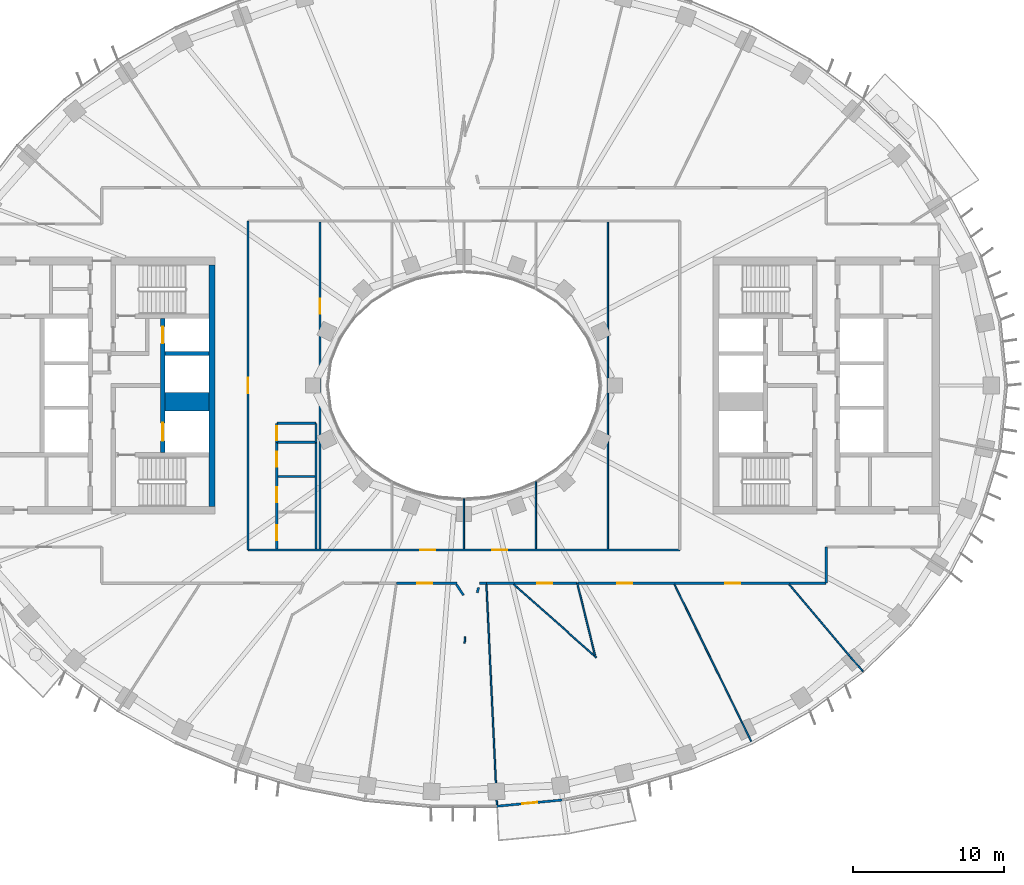
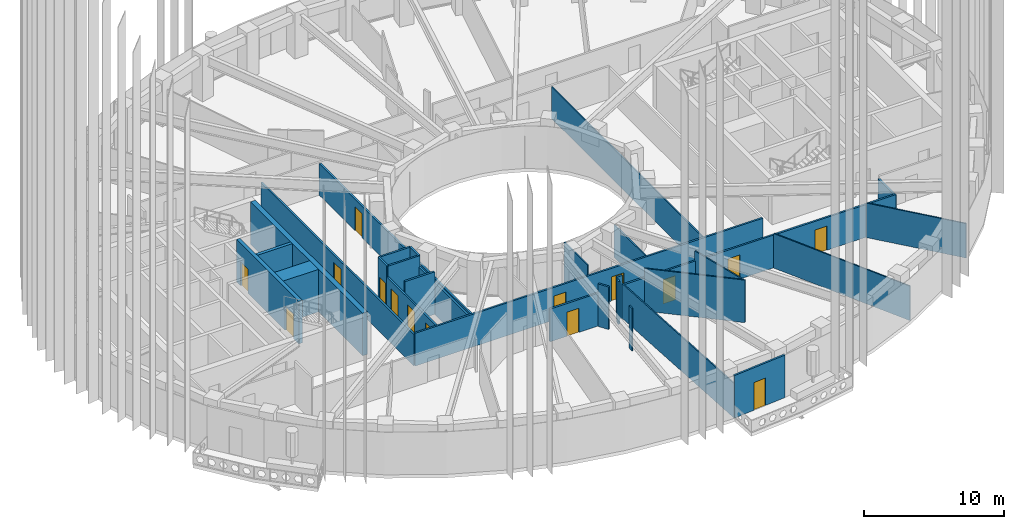
# One storey, part 4 of 19: 31 walls, 15 doors, 15 openings.
"""IFC4 building model written with IfcOpenShell, lengths in metres."""

import ifcopenshell
import ifcopenshell.guid

model = None  # the IFC model being written
_history = None  # IfcOwnerHistory: only IFC2X3 demands one
_inside = {}  # id of a spatial element -> (the spatial element, [elements in it])
_under = {}  # id of a project, library or spatial element -> (it, [spatial elements below it])
_declared = {}  # id of a project -> (the project, [libraries it declares])
_typed = {}  # id of a type object -> (the type object, [elements of that type])
_made_of = {}  # id of a material, layer set ... -> (it, [elements and type objects made of it])


def new_model(schema):
    """Start an empty IFC model of exactly this schema.

    Asked for "IFC4X3", IfcOpenShell would pick the latest addendum, in which some entities
    have other attributes; the version numbers below select the first issue.
    IFC2X3 requires an IfcOwnerHistory on every rooted entity: one is made here for all.
    """
    global model, _history
    if schema == "IFC4X3":
        model = ifcopenshell.file(schema_version=(4, 3, 0, 0))
    else:
        model = ifcopenshell.file(schema=schema)
    _inside.clear()
    _under.clear()
    _declared.clear()
    _typed.clear()
    _made_of.clear()
    _history = None
    if model.schema == "IFC2X3":
        org = make("IfcOrganization", Name="unknown")
        user = make(
            "IfcPersonAndOrganization",
            ThePerson=make("IfcPerson", FamilyName="unknown"),
            TheOrganization=org,
        )
        app = make(
            "IfcApplication",
            ApplicationDeveloper=org,
            Version="unknown",
            ApplicationFullName="unknown",
            ApplicationIdentifier="unknown",
        )
        _history = make(
            "IfcOwnerHistory",
            OwningUser=user,
            OwningApplication=app,
            ChangeAction="ADDED",
            CreationDate=0,
        )
    return model


def make(cls, **values):
    """One entity of the class cls with the attributes given. An attribute that is None is left unset."""
    return model.create_entity(
        cls, **{name: value for name, value in values.items() if value is not None}
    )


def rooted(cls, **values):
    """An entity with a GlobalId (a new one), such as an element, a storey or a relation."""
    return make(cls, GlobalId=ifcopenshell.guid.new(), OwnerHistory=_history, **values)


def si_unit(unit_type, name, prefix=None):
    """IfcSIUnit, for example si_unit("LENGTHUNIT", "METRE", prefix="MILLI")."""
    return make("IfcSIUnit", UnitType=unit_type, Prefix=prefix, Name=name)


def assignment(units):
    """IfcUnitAssignment: the units of a project."""
    return None if units is None else make("IfcUnitAssignment", Units=units)


def point(xyz):
    """IfcCartesianPoint."""
    return None if xyz is None else make("IfcCartesianPoint", Coordinates=xyz)


def direction(xyz):
    """IfcDirection."""
    return None if xyz is None else make("IfcDirection", DirectionRatios=xyz)


def frame(location, z_axis=None, x_axis=None):
    """IfcAxis2Placement3D, a coordinate frame: its origin and axes. An axis left out is left unset."""
    return make(
        "IfcAxis2Placement3D",
        Location=point(location),
        Axis=direction(z_axis),
        RefDirection=direction(x_axis),
    )


def frame_2d(location, x_axis=None):
    """IfcAxis2Placement2D, a coordinate frame in the plane: its origin and x axis."""
    return make(
        "IfcAxis2Placement2D", Location=point(location), RefDirection=direction(x_axis)
    )


def origin():
    """The frame at (0, 0, 0) with its axes left unset."""
    return frame((0.0, 0.0, 0.0))


def place(relative_to, where):
    """IfcLocalPlacement: puts the frame where relative to a parent placement (None: the world)."""
    return make(
        "IfcLocalPlacement", PlacementRelTo=relative_to, RelativePlacement=where
    )


def context(
    kind, dimensions, precision=None, world=None, true_north=None, identifier=None
):
    """IfcGeometricRepresentationContext, for example the 3D "Model" context."""
    return make(
        "IfcGeometricRepresentationContext",
        ContextIdentifier=identifier,
        ContextType=kind,
        CoordinateSpaceDimension=dimensions,
        Precision=precision,
        WorldCoordinateSystem=world,
        TrueNorth=true_north,
    )


def subcontext(parent, identifier, kind, view, scale=None):
    """IfcGeometricRepresentationSubContext, for example "Body" below "Model"."""
    return make(
        "IfcGeometricRepresentationSubContext",
        ContextIdentifier=identifier,
        ContextType=kind,
        ParentContext=parent,
        TargetScale=scale,
        TargetView=view,
    )


def project(units=None, contexts=None):
    """IfcProject with its units and contexts."""
    return rooted(
        "IfcProject",
        Name="project",
        RepresentationContexts=contexts,
        UnitsInContext=assignment(units),
    )


def spatial(cls, under=None, at=None, **own):
    """A site, building, storey or space (cls), placed at a placement, below another one or the project."""
    s = rooted(cls, ObjectPlacement=at, **own)
    if under is not None:
        _under.setdefault(under.id(), (under, []))[1].append(s)
    return s


def profile(cls, at=None, kind="AREA", **sizes):
    """A parametric profile (cls). Its sizes go by their IFC names, for example OverallWidth=200.0."""
    return make(cls, ProfileType=kind, Position=at, **sizes)


def rectangle(**sizes):
    """IfcRectangleProfileDef."""
    return profile("IfcRectangleProfileDef", **sizes)


def extrude(swept, where, along, depth):
    """IfcExtrudedAreaSolid: the profile swept, set in the frame where, extruded along a direction by depth."""
    return make(
        "IfcExtrudedAreaSolid",
        SweptArea=swept,
        Position=where,
        ExtrudedDirection=direction(along),
        Depth=depth,
    )


def shape(context_of_items, identifier, shape_type, items):
    """IfcShapeRepresentation: the items that make up one representation, for example the "Body"."""
    return make(
        "IfcShapeRepresentation",
        ContextOfItems=context_of_items,
        RepresentationIdentifier=identifier,
        RepresentationType=shape_type,
        Items=items,
    )


def material(Name=None, Category=None):
    """IfcMaterial."""
    return make("IfcMaterial", Name=Name, Category=Category)


def layer(
    of_material, thickness, ventilated=None, Name=None, Category=None, Priority=None
):
    """IfcMaterialLayer: one layer of a wall or slab, of a material (None: an air gap)."""
    return make(
        "IfcMaterialLayer",
        Material=of_material,
        LayerThickness=thickness,
        IsVentilated=ventilated,
        Name=Name,
        Category=Category,
        Priority=Priority,
    )


def layer_set(layers, Name=None):
    """IfcMaterialLayerSet."""
    return make("IfcMaterialLayerSet", MaterialLayers=layers, LayerSetName=Name)


def made_of(thing, what):
    """Note that an element or type object is made of a material, layer set ...; save() writes the relation."""
    if what is not None:
        _made_of.setdefault(what.id(), (what, []))[1].append(thing)
    return thing


def type_object(cls, material=None, **own):
    """A type object (cls), such as IfcWallType, which elements share."""
    return made_of(rooted(cls, **own), material)


def element(
    cls,
    number,
    at=None,
    inside=None,
    cuts=None,
    type_object=None,
    material=None,
    context=None,
    identifier="Body",
    shape_type=None,
    held_by="IfcProductDefinitionShape",
    body=None,
    shapes=None,
    **own,
):
    """One element of the class cls, such as IfcWall. Its Tag is "e" and its number.

    at: its placement. inside: the storey or other place that contains it. cuts: it is an
    opening in that element (IfcRelVoidsElement). A single representation is given by context,
    identifier, shape_type and body (its items); several are given by shapes. held_by: the class
    of the entity that holds the representations. save() writes the other relations.
    """
    e = rooted(cls, Tag="e%d" % number, ObjectPlacement=at, **own)
    if body is not None:
        shapes = [shape(context, identifier, shape_type, body)]
    if shapes is not None:
        e.Representation = make(held_by, Representations=shapes)
    if inside is not None:
        _inside.setdefault(inside.id(), (inside, []))[1].append(e)
    if cuts is not None:
        rooted(
            "IfcRelVoidsElement", RelatingBuildingElement=cuts, RelatedOpeningElement=e
        )
    if type_object is not None:
        _typed.setdefault(type_object.id(), (type_object, []))[1].append(e)
    return made_of(e, material)


def fill(opening, filler):
    """IfcRelFillsElement: the door or window that sits in an opening."""
    return rooted(
        "IfcRelFillsElement",
        RelatingOpeningElement=opening,
        RelatedBuildingElement=filler,
    )


def aggregate(whole, parts):
    """IfcRelAggregates: a whole, such as a stair, and the parts it consists of."""
    return rooted("IfcRelAggregates", RelatingObject=whole, RelatedObjects=parts)


def save(model, path):
    """Write the relations noted so far, then the file.

    IfcRelAggregates (storeys below a building ...), IfcRelContainedInSpatialStructure (elements
    in a storey), IfcRelDefinesByType, IfcRelAssociatesMaterial and IfcRelDeclares: one each for
    every whole, place, type object, material and project.
    """
    for whole, parts in _under.values():
        aggregate(whole, parts)
    for where, things in _inside.values():
        rooted(
            "IfcRelContainedInSpatialStructure",
            RelatedElements=things,
            RelatingStructure=where,
        )
    for kind, things in _typed.values():
        rooted("IfcRelDefinesByType", RelatedObjects=things, RelatingType=kind)
    for what, things in _made_of.values():
        rooted("IfcRelAssociatesMaterial", RelatedObjects=things, RelatingMaterial=what)
    for by, libraries in _declared.values():
        rooted("IfcRelDeclares", RelatingContext=by, RelatedDefinitions=libraries)
    model.write(path)


model = new_model("IFC4")

# Units and contexts
model_context = context("Model", 3, precision=1e-05, world=origin(), true_north=direction((0.0, 1.0)))
body_context = subcontext(model_context, "Body", "Model", "MODEL_VIEW")
ifc_project = project(units=[si_unit("LENGTHUNIT", "METRE"), si_unit("AREAUNIT", "SQUARE_METRE"), si_unit("VOLUMEUNIT", "CUBIC_METRE"), si_unit("PLANEANGLEUNIT", "RADIAN"), si_unit("MASSUNIT", "GRAM", prefix="KILO")], contexts=[model_context])

# Site, building, storey
site_placement = place(None, origin())
site = spatial("IfcSite", under=ifc_project, at=site_placement, CompositionType="ELEMENT")
building_placement = place(site_placement, origin())
building = spatial("IfcBuilding", under=site, at=building_placement, Name="Noorbagh Ring Tower", CompositionType="ELEMENT")
storey_placement = place(building_placement, frame((0.0, 0.0, 233.5)))
storey = spatial("IfcBuildingStorey", under=building, at=storey_placement, Name="L48", CompositionType="ELEMENT", Elevation=233.5)

# Wall, opening, door
ifc_material_1 = material(Name="Gypsum board on steel studs", Category="steel")
ifc_layer_1 = layer(ifc_material_1, 0.14990234375)
ifc_layer_set_1 = layer_set([ifc_layer_1], Name="Gypsum board on steel studs")
wall_type_1 = type_object("IfcWallType", Name="COMPARTMENT PARTITION 150 EI 60", PredefinedType="PARTITIONING", material=ifc_layer_set_1)
wall_1_placement = place(storey_placement, frame((-12.39990234375, -3.760009765625, 0.0), z_axis=(0.0, 0.0, 1.0), x_axis=(0.0, 1.0, 0.0)))
wall_1 = element("IfcWall", 1, at=wall_1_placement, inside=storey, type_object=wall_type_1, Name="L48/wall/P21", PredefinedType="PARTITIONING", context=body_context, shape_type="SweptSolid", body=[
    extrude(rectangle(XDim=1.260009765625, YDim=0.14990234375, at=frame_2d((0.6298828125, 0.0))), origin(), (0.0, 0.0, 1.0), 3.699951171875),
])
opening_1_placement = place(wall_1_placement, frame((0.14990234375, 0.0, 0.0)))
opening_1 = element("IfcOpeningElement", 2, at=opening_1_placement, cuts=wall_1, Name="Opening D4", PredefinedType="OPENING", context=body_context, shape_type="SweptSolid", body=[
    extrude(rectangle(XDim=0.89990234375, YDim=2.10009765625, at=frame_2d((0.449951171875, 1.050048828125))), frame((0.0, 0.0849609375, 0.0), z_axis=(0.0, -1.0, 0.0), x_axis=(1.0, 0.0, 0.0)), (0.0, 0.0, 1.0), 0.169921875),
])
ifc_material_2 = material(Name="Timber, painted", Category="wood")
door_type_1 = type_object("IfcDoorType", Name="DOOR 900 X 2100 FD60", OperationType="SINGLE_SWING_LEFT", PredefinedType="DOOR", material=ifc_material_2)
door_1_placement = place(opening_1_placement, origin())
door_1 = element("IfcDoor", 3, at=door_1_placement, inside=storey, type_object=door_type_1, Name="L48-D05", OperationType="SINGLE_SWING_LEFT", OverallHeight=2.10009765625, OverallWidth=0.89990234375, PredefinedType="DOOR", context=body_context, shape_type="SweptSolid", body=[
    extrude(rectangle(XDim=0.89990234375, YDim=2.10009765625, at=frame_2d((0.449951171875, 1.050048828125))), frame((0.0, 0.02490234375, 0.0), z_axis=(0.0, -1.0, 0.0), x_axis=(1.0, 0.0, 0.0)), (0.0, 0.0, 1.0), 0.050048828125),
])
fill(opening_1, door_1)

# Walls
wall_2_placement = place(storey_placement, frame((-12.39990234375, -3.760009765625, 0.0), z_axis=(0.0, 0.0, 1.0), x_axis=(1.0, 0.0, 0.0)))
element("IfcWall", 4, at=wall_2_placement, inside=storey, type_object=wall_type_1, Name="L48/wall/P22", PredefinedType="PARTITIONING", context=body_context, shape_type="SweptSolid", body=[
    extrude(rectangle(XDim=2.599853515625, YDim=0.14990234375, at=frame_2d((1.2998046875, 0.0))), origin(), (0.0, 0.0, 1.0), 3.699951171875),
])
wall_3_placement = place(storey_placement, frame((-12.39990234375, -2.5, 0.0), z_axis=(0.0, 0.0, 1.0), x_axis=(1.0, 0.0, 0.0)))
element("IfcWall", 5, at=wall_3_placement, inside=storey, type_object=wall_type_1, Name="L48/wall/P23", PredefinedType="PARTITIONING", context=body_context, shape_type="SweptSolid", body=[
    extrude(rectangle(XDim=2.595947265625, YDim=0.14990234375, at=frame_2d((1.2978515625, 0.0))), origin(), (0.0, 0.0, 1.0), 3.699951171875),
])
wall_4_placement = place(storey_placement, frame((-9.800048828125, -3.760009765625, 0.0), z_axis=(0.0, 0.0, 1.0), x_axis=(0.0, 1.0, 0.0)))
element("IfcWall", 6, at=wall_4_placement, inside=storey, type_object=wall_type_1, Name="L48/wall/P31", PredefinedType="PARTITIONING", context=body_context, shape_type="SweptSolid", body=[
    extrude(rectangle(XDim=1.256103515625, YDim=0.14990234375, at=frame_2d((0.6279296875, 0.0))), origin(), (0.0, 0.0, 1.0), 3.699951171875),
])
ifc_material_3 = material(Name="Concrete C60/75", Category="concrete")
ifc_layer_2 = layer(ifc_material_3, 1.25)
ifc_layer_set_2 = layer_set([ifc_layer_2], Name="Concrete C60/75")
wall_type_2 = type_object("IfcWallType", Name="CORE-WALL-1250-C60-75-EI120", PredefinedType="SHEAR", material=ifc_layer_set_2)
wall_5_placement = place(storey_placement, frame((-16.89990234375, -1.074951171875, 0.0), z_axis=(0.0, 0.0, 1.0), x_axis=(-1.0, 0.0, 0.0)))
element("IfcWall", 7, at=wall_5_placement, inside=storey, type_object=wall_type_2, Name="Core wall W", PredefinedType="SHEAR", context=body_context, shape_type="SweptSolid", body=[
    extrude(rectangle(XDim=2.900146484375, YDim=1.25, at=frame_2d((1.4501953125, 0.0))), origin(), (0.0, 0.0, 1.0), 3.699951171875),
])
ifc_material_4 = material(Name="Concrete C60/75", Category="concrete")
ifc_layer_3 = layer(ifc_material_4, 0.25)
ifc_layer_set_3 = layer_set([ifc_layer_3], Name="Concrete C60/75")
wall_type_3 = type_object("IfcWallType", Name="CORE-WALL-250-C60-75-EI120", PredefinedType="SHEAR", material=ifc_layer_set_3)
wall_6_placement = place(storey_placement, frame((-16.89990234375, 2.125, 0.0), z_axis=(0.0, 0.0, 1.0), x_axis=(-1.0, 0.0, 0.0)))
element("IfcWall", 8, at=wall_6_placement, inside=storey, type_object=wall_type_3, Name="Core wall W", PredefinedType="SHEAR", context=body_context, shape_type="SweptSolid", body=[
    extrude(rectangle(XDim=2.900146484375, YDim=0.25, at=frame_2d((1.4501953125, 0.0))), origin(), (0.0, 0.0, 1.0), 3.699951171875),
])

# Wall, openings, doors
ifc_material_5 = material(Name="Concrete C60/75", Category="concrete")
ifc_layer_4 = layer(ifc_material_5, 0.300048828125)
ifc_layer_set_4 = layer_set([ifc_layer_4], Name="Concrete C60/75")
wall_type_4 = type_object("IfcWallType", Name="CORE-WALL-300-C60-75-EI120", PredefinedType="SHEAR", material=ifc_layer_set_4)
wall_7_placement = place(storey_placement, frame((-19.949951171875, -4.449951171875, 0.0), z_axis=(0.0, 0.0, 1.0), x_axis=(0.0, 1.0, 0.0)))
wall_7 = element("IfcWall", 9, at=wall_7_placement, inside=storey, type_object=wall_type_4, Name="Core wall W", PredefinedType="SHEAR", context=body_context, shape_type="SweptSolid", body=[
    extrude(rectangle(XDim=8.89990234375, YDim=0.300048828125, at=frame_2d((4.449951171875, 0.0))), origin(), (0.0, 0.0, 1.0), 3.699951171875),
])
opening_2_placement = place(wall_7_placement, frame((0.77490234375, 0.0, 0.0)))
opening_2 = element("IfcOpeningElement", 10, at=opening_2_placement, cuts=wall_7, Name="Opening L48-CW01", PredefinedType="OPENING", context=body_context, shape_type="SweptSolid", body=[
    extrude(rectangle(XDim=1.199951171875, YDim=2.10009765625, at=frame_2d((0.60009765625, 1.050048828125))), frame((0.0, 0.16015625, 0.0), z_axis=(0.0, -1.0, 0.0), x_axis=(1.0, 0.0, 0.0)), (0.0, 0.0, 1.0), 0.320068359375),
])
opening_3_placement = place(wall_7_placement, frame((7.25, 0.0, 0.0)))
opening_3 = element("IfcOpeningElement", 11, at=opening_3_placement, cuts=wall_7, Name="Opening L48-CW02", PredefinedType="OPENING", context=body_context, shape_type="SweptSolid", body=[
    extrude(rectangle(XDim=1.10009765625, YDim=2.10009765625, at=frame_2d((0.550048828125, 1.050048828125))), frame((0.0, 0.16015625, 0.0), z_axis=(0.0, -1.0, 0.0), x_axis=(1.0, 0.0, 0.0)), (0.0, 0.0, 1.0), 0.320068359375),
])
ifc_material_6 = material(Name="Steel door leaf", Category="steel")
door_type_2 = type_object("IfcDoorType", Name="CORE-DOOR-LD", OperationType="DOUBLE_DOOR_SLIDING", PredefinedType="DOOR", material=ifc_material_6)
door_2_placement = place(opening_3_placement, origin())
door_2 = element("IfcDoor", 12, at=door_2_placement, inside=storey, type_object=door_type_2, Name="Landing door HR1 L48-CW02", OperationType="DOUBLE_DOOR_SLIDING", OverallHeight=2.10009765625, OverallWidth=1.10009765625, PredefinedType="DOOR", context=body_context, shape_type="SweptSolid", body=[
    extrude(rectangle(XDim=1.10009765625, YDim=2.10009765625, at=frame_2d((0.550048828125, 1.050048828125))), frame((0.0, 0.02490234375, 0.0), z_axis=(0.0, -1.0, 0.0), x_axis=(1.0, 0.0, 0.0)), (0.0, 0.0, 1.0), 0.050048828125),
])
fill(opening_3, door_2)
ifc_material_7 = material(Name="Steel door leaf", Category="steel")
door_type_3 = type_object("IfcDoorType", Name="CORE-DOOR-LDW", OperationType="DOUBLE_DOOR_SLIDING", PredefinedType="DOOR", material=ifc_material_7)
door_3_placement = place(opening_2_placement, origin())
door_3 = element("IfcDoor", 13, at=door_3_placement, inside=storey, type_object=door_type_3, Name="Landing door FF1 L48-CW01", OperationType="DOUBLE_DOOR_SLIDING", OverallHeight=2.10009765625, OverallWidth=1.199951171875, PredefinedType="DOOR", context=body_context, shape_type="SweptSolid", body=[
    extrude(rectangle(XDim=1.199951171875, YDim=2.10009765625, at=frame_2d((0.60009765625, 1.050048828125))), frame((0.0, 0.02490234375, 0.0), z_axis=(0.0, -1.0, 0.0), x_axis=(1.0, 0.0, 0.0)), (0.0, 0.0, 1.0), 0.050048828125),
])
fill(opening_2, door_3)

# Wall
ifc_material_8 = material(Name="Concrete C60/75", Category="concrete")
ifc_layer_5 = layer(ifc_material_8, 0.39990234375)
ifc_layer_set_5 = layer_set([ifc_layer_5], Name="Concrete C60/75")
wall_type_5 = type_object("IfcWallType", Name="CORE-WALL-400-C60-75-EI240", PredefinedType="SHEAR", material=ifc_layer_set_5)
wall_8_placement = place(storey_placement, frame((-16.699951171875, -8.0, 0.0), z_axis=(0.0, 0.0, 1.0), x_axis=(0.0, 1.0, 0.0)))
element("IfcWall", 14, at=wall_8_placement, inside=storey, type_object=wall_type_5, Name="Core wall W", PredefinedType="SHEAR", context=body_context, shape_type="SweptSolid", body=[
    extrude(rectangle(XDim=16.0, YDim=0.39990234375, at=frame_2d((8.0, 0.0))), origin(), (0.0, 0.0, 1.0), 3.699951171875),
])

# Wall, opening, door
ifc_material_9 = material(Name="Gypsum board on steel studs", Category="steel")
ifc_layer_6 = layer(ifc_material_9, 0.14990234375)
ifc_layer_set_6 = layer_set([ifc_layer_6], Name="Gypsum board on steel studs")
wall_type_6 = type_object("IfcWallType", Name="CORRIDOR PARTITION 150 EI 30", PredefinedType="PARTITIONING", material=ifc_layer_set_6)
wall_9_placement = place(storey_placement, frame((-14.300048828125, -10.89990234375, 0.0), z_axis=(0.0, 0.0, 1.0), x_axis=(0.0, 1.0, 0.0)))
wall_9 = element("IfcWall", 15, at=wall_9_placement, inside=storey, type_object=wall_type_6, Name="L48/wall/P15", PredefinedType="PARTITIONING", context=body_context, shape_type="SweptSolid", body=[
    extrude(rectangle(XDim=21.7998046875, YDim=0.14990234375, at=frame_2d((10.89990234375, 0.0))), origin(), (0.0, 0.0, 1.0), 2.75),
])
opening_4_placement = place(wall_9_placement, frame((10.39990234375, 0.0, 0.0)))
opening_4 = element("IfcOpeningElement", 16, at=opening_4_placement, cuts=wall_9, Name="Opening D1", PredefinedType="OPENING", context=body_context, shape_type="SweptSolid", body=[
    extrude(rectangle(XDim=1.0, YDim=2.10009765625, at=frame_2d((0.5, 1.050048828125))), frame((0.0, 0.0849609375, 0.0), z_axis=(0.0, -1.0, 0.0), x_axis=(1.0, 0.0, 0.0)), (0.0, 0.0, 1.0), 0.169921875),
])
ifc_material_10 = material(Name="Timber, painted", Category="wood")
door_type_4 = type_object("IfcDoorType", Name="DOOR 1000 X 2100 FD30", OperationType="SINGLE_SWING_LEFT", PredefinedType="DOOR", material=ifc_material_10)
door_4_placement = place(opening_4_placement, origin())
door_4 = element("IfcDoor", 17, at=door_4_placement, inside=storey, type_object=door_type_4, Name="L48-D01", OperationType="SINGLE_SWING_LEFT", OverallHeight=2.10009765625, OverallWidth=1.0, PredefinedType="DOOR", context=body_context, shape_type="SweptSolid", body=[
    extrude(rectangle(XDim=1.0, YDim=2.10009765625, at=frame_2d((0.5, 1.050048828125))), frame((0.0, 0.02490234375, 0.0), z_axis=(0.0, -1.0, 0.0), x_axis=(1.0, 0.0, 0.0)), (0.0, 0.0, 1.0), 0.050048828125),
])
fill(opening_4, door_4)

# Wall, openings, doors
wall_10_placement = place(storey_placement, frame((-14.300048828125, -10.89990234375, 0.0), z_axis=(0.0, 0.0, 1.0), x_axis=(1.0, 0.0, 0.0)))
wall_10 = element("IfcWall", 18, at=wall_10_placement, inside=storey, type_object=wall_type_6, Name="L48/wall/P16", PredefinedType="PARTITIONING", context=body_context, shape_type="SweptSolid", body=[
    extrude(rectangle(XDim=28.60009765625, YDim=0.14990234375, at=frame_2d((14.300048828125, 0.0))), origin(), (0.0, 0.0, 1.0), 2.85009765625),
])
opening_5_placement = place(wall_10_placement, frame((11.39990234375, 0.0, 0.0)))
opening_5 = element("IfcOpeningElement", 19, at=opening_5_placement, cuts=wall_10, Name="Opening D1", PredefinedType="OPENING", context=body_context, shape_type="SweptSolid", body=[
    extrude(rectangle(XDim=1.0, YDim=2.10009765625, at=frame_2d((0.5, 1.050048828125))), frame((0.0, 0.0849609375, 0.0), z_axis=(0.0, -1.0, 0.0), x_axis=(1.0, 0.0, 0.0)), (0.0, 0.0, 1.0), 0.169921875),
])
opening_6_placement = place(wall_10_placement, frame((16.1669921875, 0.0, 0.0)))
opening_6 = element("IfcOpeningElement", 20, at=opening_6_placement, cuts=wall_10, Name="Opening D1", PredefinedType="OPENING", context=body_context, shape_type="SweptSolid", body=[
    extrude(rectangle(XDim=1.0, YDim=2.10009765625, at=frame_2d((0.5, 1.050048828125))), frame((0.0, 0.0849609375, 0.0), z_axis=(0.0, -1.0, 0.0), x_axis=(1.0, 0.0, 0.0)), (0.0, 0.0, 1.0), 0.169921875),
])
door_5_placement = place(opening_5_placement, origin())
door_5 = element("IfcDoor", 21, at=door_5_placement, inside=storey, type_object=door_type_4, Name="L48-D25", OperationType="SINGLE_SWING_LEFT", OverallHeight=2.10009765625, OverallWidth=1.0, PredefinedType="DOOR", context=body_context, shape_type="SweptSolid", body=[
    extrude(rectangle(XDim=1.0, YDim=2.10009765625, at=frame_2d((0.5, 1.050048828125))), frame((0.0, 0.02490234375, 0.0), z_axis=(0.0, -1.0, 0.0), x_axis=(1.0, 0.0, 0.0)), (0.0, 0.0, 1.0), 0.050048828125),
])
fill(opening_5, door_5)
door_6_placement = place(opening_6_placement, origin())
door_6 = element("IfcDoor", 22, at=door_6_placement, inside=storey, type_object=door_type_4, Name="L48-D27", OperationType="SINGLE_SWING_LEFT", OverallHeight=2.10009765625, OverallWidth=1.0, PredefinedType="DOOR", context=body_context, shape_type="SweptSolid", body=[
    extrude(rectangle(XDim=1.0, YDim=2.10009765625, at=frame_2d((0.5, 1.050048828125))), frame((0.0, 0.02490234375, 0.0), z_axis=(0.0, -1.0, 0.0), x_axis=(1.0, 0.0, 0.0)), (0.0, 0.0, 1.0), 0.050048828125),
])
fill(opening_6, door_6)

wall_11_placement = place(storey_placement, frame((-12.39990234375, -10.824951171875, 0.0), z_axis=(0.0, 0.0, 1.0), x_axis=(0.0, 1.0, 0.0)))
wall_11 = element("IfcWall", 23, at=wall_11_placement, inside=storey, type_object=wall_type_6, Name="L48/wall/P18", PredefinedType="PARTITIONING", context=body_context, shape_type="SweptSolid", body=[
    extrude(rectangle(XDim=7.06494140625, YDim=0.14990234375, at=frame_2d((3.532470703125, 0.0))), origin(), (0.0, 0.0, 1.0), 2.75),
])
opening_7_placement = place(wall_11_placement, frame((0.574951171875, 0.0, 0.0)))
opening_7 = element("IfcOpeningElement", 24, at=opening_7_placement, cuts=wall_11, Name="Opening D3", PredefinedType="OPENING", context=body_context, shape_type="SweptSolid", body=[
    extrude(rectangle(XDim=1.0, YDim=2.10009765625, at=frame_2d((0.5, 1.050048828125))), frame((0.0, 0.0849609375, 0.0), z_axis=(0.0, -1.0, 0.0), x_axis=(1.0, 0.0, 0.0)), (0.0, 0.0, 1.0), 0.169921875),
])
opening_8_placement = place(wall_11_placement, frame((3.094970703125, 0.0, 0.0)))
opening_8 = element("IfcOpeningElement", 25, at=opening_8_placement, cuts=wall_11, Name="Opening D3", PredefinedType="OPENING", context=body_context, shape_type="SweptSolid", body=[
    extrude(rectangle(XDim=1.0, YDim=2.10009765625, at=frame_2d((0.5, 1.050048828125))), frame((0.0, 0.0849609375, 0.0), z_axis=(0.0, -1.0, 0.0), x_axis=(1.0, 0.0, 0.0)), (0.0, 0.0, 1.0), 0.169921875),
])
opening_9_placement = place(wall_11_placement, frame((5.447021484375, 0.0, 0.0)))
opening_9 = element("IfcOpeningElement", 26, at=opening_9_placement, cuts=wall_11, Name="Opening D3", PredefinedType="OPENING", context=body_context, shape_type="SweptSolid", body=[
    extrude(rectangle(XDim=1.0, YDim=2.10009765625, at=frame_2d((0.5, 1.050048828125))), frame((0.0, 0.0849609375, 0.0), z_axis=(0.0, -1.0, 0.0), x_axis=(1.0, 0.0, 0.0)), (0.0, 0.0, 1.0), 0.169921875),
])
ifc_material_11 = material(Name="Timber, painted", Category="wood")
door_type_5 = type_object("IfcDoorType", Name="DOOR 1000 X 2100 WC", OperationType="SINGLE_SWING_LEFT", PredefinedType="DOOR", material=ifc_material_11)
door_7_placement = place(opening_7_placement, origin())
door_7 = element("IfcDoor", 27, at=door_7_placement, inside=storey, type_object=door_type_5, Name="L48-D02", OperationType="SINGLE_SWING_RIGHT", OverallHeight=2.10009765625, OverallWidth=1.0, PredefinedType="DOOR", context=body_context, shape_type="SweptSolid", body=[
    extrude(rectangle(XDim=1.0, YDim=2.10009765625, at=frame_2d((0.5, 1.050048828125))), frame((0.0, 0.02490234375, 0.0), z_axis=(0.0, -1.0, 0.0), x_axis=(1.0, 0.0, 0.0)), (0.0, 0.0, 1.0), 0.050048828125),
])
fill(opening_7, door_7)
door_8_placement = place(opening_8_placement, origin())
door_8 = element("IfcDoor", 28, at=door_8_placement, inside=storey, type_object=door_type_5, Name="L48-D03", OperationType="SINGLE_SWING_LEFT", OverallHeight=2.10009765625, OverallWidth=1.0, PredefinedType="DOOR", context=body_context, shape_type="SweptSolid", body=[
    extrude(rectangle(XDim=1.0, YDim=2.10009765625, at=frame_2d((0.5, 1.050048828125))), frame((0.0, 0.02490234375, 0.0), z_axis=(0.0, -1.0, 0.0), x_axis=(1.0, 0.0, 0.0)), (0.0, 0.0, 1.0), 0.050048828125),
])
fill(opening_8, door_8)
door_9_placement = place(opening_9_placement, origin())
door_9 = element("IfcDoor", 29, at=door_9_placement, inside=storey, type_object=door_type_5, Name="L48-D04", OperationType="SINGLE_SWING_RIGHT", OverallHeight=2.10009765625, OverallWidth=1.0, PredefinedType="DOOR", context=body_context, shape_type="SweptSolid", body=[
    extrude(rectangle(XDim=1.0, YDim=2.10009765625, at=frame_2d((0.5, 1.050048828125))), frame((0.0, 0.02490234375, 0.0), z_axis=(0.0, -1.0, 0.0), x_axis=(1.0, 0.0, 0.0)), (0.0, 0.0, 1.0), 0.050048828125),
])
fill(opening_9, door_9)

# Walls
wall_12_placement = place(storey_placement, frame((-12.324951171875, -6.028076171875, 0.0), z_axis=(0.0, 0.0, 1.0), x_axis=(1.0, 0.0, 0.0)))
element("IfcWall", 30, at=wall_12_placement, inside=storey, type_object=wall_type_6, Name="L48/wall/P20", PredefinedType="PARTITIONING", context=body_context, shape_type="SweptSolid", body=[
    extrude(rectangle(XDim=2.449951171875, YDim=0.14990234375, at=frame_2d((1.22509765625, 0.0))), origin(), (0.0, 0.0, 1.0), 3.699951171875),
])
wall_13_placement = place(storey_placement, frame((-9.800048828125, -10.824951171875, 0.0), z_axis=(0.0, 0.0, 1.0), x_axis=(0.0, 1.0, 0.0)))
element("IfcWall", 31, at=wall_13_placement, inside=storey, type_object=wall_type_6, Name="L48/wall/P30", PredefinedType="PARTITIONING", context=body_context, shape_type="SweptSolid", body=[
    extrude(rectangle(XDim=7.06494140625, YDim=0.14990234375, at=frame_2d((3.532470703125, 0.0))), origin(), (0.0, 0.0, 1.0), 2.75),
])

# Wall, opening, door
wall_14_placement = place(storey_placement, frame((-9.532958984375, -10.824951171875, 0.0), z_axis=(0.0, 0.0, 1.0), x_axis=(0.0, 1.0, 0.0)))
wall_14 = element("IfcWall", 32, at=wall_14_placement, inside=storey, type_object=wall_type_6, Name="L48/wall/P32", PredefinedType="PARTITIONING", context=body_context, shape_type="SweptSolid", body=[
    extrude(rectangle(XDim=21.64990234375, YDim=0.14990234375, at=frame_2d((10.824951171875, 0.0))), origin(), (0.0, 0.0, 1.0), 2.75),
])
opening_10_placement = place(wall_14_placement, frame((15.574951171875, 0.0, 0.0)))
opening_10 = element("IfcOpeningElement", 33, at=opening_10_placement, cuts=wall_14, Name="Opening D1", PredefinedType="OPENING", context=body_context, shape_type="SweptSolid", body=[
    extrude(rectangle(XDim=1.0, YDim=2.10009765625, at=frame_2d((0.5, 1.050048828125))), frame((0.0, 0.0849609375, 0.0), z_axis=(0.0, -1.0, 0.0), x_axis=(1.0, 0.0, 0.0)), (0.0, 0.0, 1.0), 0.169921875),
])
door_10_placement = place(opening_10_placement, origin())
door_10 = element("IfcDoor", 34, at=door_10_placement, inside=storey, type_object=door_type_4, Name="L48-D24", OperationType="SINGLE_SWING_RIGHT", OverallHeight=2.10009765625, OverallWidth=1.0, PredefinedType="DOOR", context=body_context, shape_type="SweptSolid", body=[
    extrude(rectangle(XDim=1.0, YDim=2.10009765625, at=frame_2d((0.5, 1.050048828125))), frame((0.0, 0.02490234375, 0.0), z_axis=(0.0, -1.0, 0.0), x_axis=(1.0, 0.0, 0.0)), (0.0, 0.0, 1.0), 0.050048828125),
])
fill(opening_10, door_10)

wall_15_placement = place(storey_placement, frame((-4.472900390625, -13.10009765625, 0.0), z_axis=(0.0, 0.0, 1.0), x_axis=(1.0, 0.0, 0.0)))
wall_15 = element("IfcWall", 35, at=wall_15_placement, inside=storey, type_object=wall_type_6, Name="L48/wall/P38", PredefinedType="PARTITIONING", context=body_context, shape_type="SweptSolid", body=[
    extrude(rectangle(XDim=4.014892578125, YDim=0.14990234375, at=frame_2d((2.00732421875, 0.0))), origin(), (0.0, 0.0, 1.0), 2.85009765625),
])
opening_11_placement = place(wall_15_placement, frame((1.3798828125, 0.0, 0.0)))
opening_11 = element("IfcOpeningElement", 36, at=opening_11_placement, cuts=wall_15, Name="Opening D1", PredefinedType="OPENING", context=body_context, shape_type="SweptSolid", body=[
    extrude(rectangle(XDim=1.0, YDim=2.10009765625, at=frame_2d((0.5, 1.050048828125))), frame((0.0, 0.0849609375, 0.0), z_axis=(0.0, -1.0, 0.0), x_axis=(1.0, 0.0, 0.0)), (0.0, 0.0, 1.0), 0.169921875),
])
door_11_placement = place(opening_11_placement, origin())
door_11 = element("IfcDoor", 37, at=door_11_placement, inside=storey, type_object=door_type_4, Name="L48-D13", OperationType="SINGLE_SWING_LEFT", OverallHeight=2.10009765625, OverallWidth=1.0, PredefinedType="DOOR", context=body_context, shape_type="SweptSolid", body=[
    extrude(rectangle(XDim=1.0, YDim=2.10009765625, at=frame_2d((0.5, 1.050048828125))), frame((0.0, 0.02490234375, 0.0), z_axis=(0.0, -1.0, 0.0), x_axis=(1.0, 0.0, 0.0)), (0.0, 0.0, 1.0), 0.050048828125),
])
fill(opening_11, door_11)

# Walls
wall_16_placement = place(storey_placement, frame((-0.4990234375, -13.175048828125, 0.0), z_axis=(0.0, 0.0, 1.0), x_axis=(0.542663046007, -0.839950485742, 0.0)))
element("IfcWall", 38, at=wall_16_placement, inside=storey, type_object=wall_type_6, Name="L48/wall/P42", PredefinedType="PARTITIONING", context=body_context, shape_type="SweptSolid", body=[
    extrude(rectangle(XDim=0.860595703125, YDim=0.14990234375, at=frame_2d((0.43017578125, 0.0))), origin(), (0.0, 0.0, 1.0), 3.699951171875),
])
wall_17_placement = place(storey_placement, frame((0.881103515625, -13.72705078125, 0.0), z_axis=(0.0, 0.0, 1.0), x_axis=(0.239099704585, 0.970995021237, 0.0)))
element("IfcWall", 39, at=wall_17_placement, inside=storey, type_object=wall_type_6, Name="L48/wall/P50", PredefinedType="PARTITIONING", context=body_context, shape_type="SweptSolid", body=[
    extrude(rectangle(XDim=0.351318359375, YDim=0.14990234375, at=frame_2d((0.17578125, 0.0))), origin(), (0.0, 0.0, 1.0), 3.699951171875),
])
wall_18_placement = place(storey_placement, frame((1.035888671875, -13.10009765625, 0.0), z_axis=(0.0, 0.0, 1.0), x_axis=(1.0, 0.0, 0.0)))
element("IfcWall", 40, at=wall_18_placement, inside=storey, type_object=wall_type_6, Name="L48/wall/P51", PredefinedType="PARTITIONING", context=body_context, shape_type="SweptSolid", body=[
    extrude(rectangle(XDim=0.4501953125, YDim=0.14990234375, at=frame_2d((0.22509765625, 0.0))), origin(), (0.0, 0.0, 1.0), 3.699951171875),
])

# Wall, opening, door
wall_19_placement = place(storey_placement, frame((1.506103515625, -13.10009765625, 0.0), z_axis=(0.0, 0.0, 1.0), x_axis=(1.0, 0.0, 0.0)))
wall_19 = element("IfcWall", 41, at=wall_19_placement, inside=storey, type_object=wall_type_6, Name="L48/wall/P54", PredefinedType="PARTITIONING", context=body_context, shape_type="SweptSolid", body=[
    extrude(rectangle(XDim=6.0009765625, YDim=0.14990234375, at=frame_2d((3.00048828125, 0.0))), origin(), (0.0, 0.0, 1.0), 2.85009765625),
])
opening_12_placement = place(wall_19_placement, frame((3.35595703125, 0.0, 0.0)))
opening_12 = element("IfcOpeningElement", 42, at=opening_12_placement, cuts=wall_19, Name="Opening D1", PredefinedType="OPENING", context=body_context, shape_type="SweptSolid", body=[
    extrude(rectangle(XDim=1.0, YDim=2.10009765625, at=frame_2d((0.5, 1.050048828125))), frame((0.0, 0.0849609375, 0.0), z_axis=(0.0, -1.0, 0.0), x_axis=(1.0, 0.0, 0.0)), (0.0, 0.0, 1.0), 0.169921875),
])
door_12_placement = place(opening_12_placement, origin())
door_12 = element("IfcDoor", 43, at=door_12_placement, inside=storey, type_object=door_type_4, Name="L48-D15", OperationType="SINGLE_SWING_LEFT", OverallHeight=2.10009765625, OverallWidth=1.0, PredefinedType="DOOR", context=body_context, shape_type="SweptSolid", body=[
    extrude(rectangle(XDim=1.0, YDim=2.10009765625, at=frame_2d((0.5, 1.050048828125))), frame((0.0, 0.02490234375, 0.0), z_axis=(0.0, -1.0, 0.0), x_axis=(1.0, 0.0, 0.0)), (0.0, 0.0, 1.0), 0.050048828125),
])
fill(opening_12, door_12)

# Wall, openings, doors
wall_20_placement = place(storey_placement, frame((7.52392578125, -13.10009765625, 0.0), z_axis=(0.0, 0.0, 1.0), x_axis=(1.0, 0.0, 0.0)))
wall_20 = element("IfcWall", 44, at=wall_20_placement, inside=storey, type_object=wall_type_6, Name="L48/wall/P61", PredefinedType="PARTITIONING", context=body_context, shape_type="SweptSolid", body=[
    extrude(rectangle(XDim=16.47607421875, YDim=0.14990234375, at=frame_2d((8.238037109375, 0.0))), origin(), (0.0, 0.0, 1.0), 2.85009765625),
])
opening_13_placement = place(wall_20_placement, frame((2.633056640625, 0.0, 0.0)))
opening_13 = element("IfcOpeningElement", 45, at=opening_13_placement, cuts=wall_20, Name="Opening D1", PredefinedType="OPENING", context=body_context, shape_type="SweptSolid", body=[
    extrude(rectangle(XDim=1.0, YDim=2.10009765625, at=frame_2d((0.5, 1.050048828125))), frame((0.0, 0.0849609375, 0.0), z_axis=(0.0, -1.0, 0.0), x_axis=(1.0, 0.0, 0.0)), (0.0, 0.0, 1.0), 0.169921875),
])
opening_14_placement = place(wall_20_placement, frame((9.787109375, 0.0, 0.0)))
opening_14 = element("IfcOpeningElement", 46, at=opening_14_placement, cuts=wall_20, Name="Opening D1", PredefinedType="OPENING", context=body_context, shape_type="SweptSolid", body=[
    extrude(rectangle(XDim=1.0, YDim=2.10009765625, at=frame_2d((0.5, 1.050048828125))), frame((0.0, 0.0849609375, 0.0), z_axis=(0.0, -1.0, 0.0), x_axis=(1.0, 0.0, 0.0)), (0.0, 0.0, 1.0), 0.169921875),
])
door_13_placement = place(opening_13_placement, origin())
door_13 = element("IfcDoor", 47, at=door_13_placement, inside=storey, type_object=door_type_4, Name="L48-D16", OperationType="SINGLE_SWING_RIGHT", OverallHeight=2.10009765625, OverallWidth=1.0, PredefinedType="DOOR", context=body_context, shape_type="SweptSolid", body=[
    extrude(rectangle(XDim=1.0, YDim=2.10009765625, at=frame_2d((0.5, 1.050048828125))), frame((0.0, 0.02490234375, 0.0), z_axis=(0.0, -1.0, 0.0), x_axis=(1.0, 0.0, 0.0)), (0.0, 0.0, 1.0), 0.050048828125),
])
fill(opening_13, door_13)
door_14_placement = place(opening_14_placement, origin())
door_14 = element("IfcDoor", 48, at=door_14_placement, inside=storey, type_object=door_type_4, Name="L48-D18", OperationType="SINGLE_SWING_RIGHT", OverallHeight=2.10009765625, OverallWidth=1.0, PredefinedType="DOOR", context=body_context, shape_type="SweptSolid", body=[
    extrude(rectangle(XDim=1.0, YDim=2.10009765625, at=frame_2d((0.5, 1.050048828125))), frame((0.0, 0.02490234375, 0.0), z_axis=(0.0, -1.0, 0.0), x_axis=(1.0, 0.0, 0.0)), (0.0, 0.0, 1.0), 0.050048828125),
])
fill(opening_14, door_14)

# Wall
wall_21_placement = place(storey_placement, frame((24.0, -13.10009765625, 0.0), z_axis=(0.0, 0.0, 1.0), x_axis=(0.0, 1.0, 0.0)))
element("IfcWall", 49, at=wall_21_placement, inside=storey, type_object=wall_type_6, Name="L48/wall/P69", PredefinedType="PARTITIONING", context=body_context, shape_type="SweptSolid", body=[
    extrude(rectangle(XDim=2.400146484375, YDim=0.14990234375, at=frame_2d((1.2001953125, 0.0))), origin(), (0.0, 0.0, 1.0), 2.75),
])

# Wall, opening, door
ifc_material_12 = material(Name="Insulated aluminium clad panel", Category="aluminium")
ifc_layer_7 = layer(ifc_material_12, 0.14990234375)
ifc_layer_set_7 = layer_set([ifc_layer_7], Name="Insulated aluminium clad panel")
wall_type_7 = type_object("IfcWallType", Name="ENV-WALL-DOOR", PredefinedType="STANDARD", material=ifc_layer_set_7)
wall_22_placement = place(storey_placement, frame((2.166259765625, -27.875244140625, 0.0), z_axis=(0.0, 0.0, 1.0), x_axis=(0.995473879823, 0.095035543824, 0.0)))
wall_22 = element("IfcWall", 50, at=wall_22_placement, inside=storey, type_object=wall_type_7, Name="Balcony door wall chord 36", PredefinedType="STANDARD", context=body_context, shape_type="SweptSolid", body=[
    extrude(rectangle(XDim=4.42626953125, YDim=0.14990234375, at=frame_2d((2.213134765625, 0.0))), origin(), (0.0, 0.0, 1.0), 3.699951171875),
])
opening_15_placement = place(wall_22_placement, frame((1.713134765625, 0.0, 0.0)))
opening_15 = element("IfcOpeningElement", 51, at=opening_15_placement, cuts=wall_22, Name="Opening D-BL", PredefinedType="OPENING", context=body_context, shape_type="SweptSolid", body=[
    extrude(rectangle(XDim=1.0, YDim=2.39990234375, at=frame_2d((0.5, 1.199951171875))), frame((0.0, 0.0849609375, 0.0), z_axis=(0.0, -1.0, 0.0), x_axis=(1.0, 0.0, 0.0)), (0.0, 0.0, 1.0), 0.169921875),
])
ifc_material_13 = material(Name="Aluminium and glass", Category="aluminium")
door_type_6 = type_object("IfcDoorType", Name="ENV-DOOR-BALCONY", OperationType="SINGLE_SWING_LEFT", PredefinedType="DOOR", material=ifc_material_13)
door_15_placement = place(opening_15_placement, origin())
door_15 = element("IfcDoor", 52, at=door_15_placement, inside=storey, type_object=door_type_6, Name="Balcony door chord 36", OperationType="SINGLE_SWING_LEFT", OverallHeight=2.39990234375, OverallWidth=1.0, PredefinedType="DOOR", context=body_context, shape_type="SweptSolid", body=[
    extrude(rectangle(XDim=1.0, YDim=2.39990234375, at=frame_2d((0.5, 1.199951171875))), frame((0.0, 0.02490234375, 0.0), z_axis=(0.0, -1.0, 0.0), x_axis=(1.0, 0.0, 0.0)), (0.0, 0.0, 1.0), 0.050048828125),
])
fill(opening_15, door_15)

# Walls
ifc_material_14 = material(Name="Gypsum board on steel studs", Category="steel")
ifc_layer_8 = layer(ifc_material_14, 0.10009765625)
ifc_layer_set_8 = layer_set([ifc_layer_8], Name="Gypsum board on steel studs")
wall_type_8 = type_object("IfcWallType", Name="PARTITION 100 GYPSUM", PredefinedType="PARTITIONING", material=ifc_layer_set_8)
wall_23_placement = place(storey_placement, frame((0.0, -10.824951171875, 0.0), z_axis=(0.0, 0.0, 1.0), x_axis=(0.0, 1.0, 0.0)))
element("IfcWall", 53, at=wall_23_placement, inside=storey, type_object=wall_type_8, Name="L48/wall/P44", PredefinedType="PARTITIONING", context=body_context, shape_type="SweptSolid", body=[
    extrude(rectangle(XDim=3.321044921875, YDim=0.10009765625, at=frame_2d((1.66064453125, 0.0))), origin(), (0.0, 0.0, 1.0), 3.699951171875),
])
wall_24_placement = place(storey_placement, frame((0.049072265625, -17.0810546875, 0.0), z_axis=(0.0, 0.0, 1.0), x_axis=(0.047263912187, 0.998882436829, 0.0)))
element("IfcWall", 54, at=wall_24_placement, inside=storey, type_object=wall_type_8, Name="L48/wall/P47", PredefinedType="PARTITIONING", context=body_context, shape_type="SweptSolid", body=[
    extrude(rectangle(XDim=0.423583984375, YDim=0.10009765625, at=frame_2d((0.2119140625, 0.0))), origin(), (0.0, 0.0, 1.0), 3.699951171875),
])
wall_25_placement = place(storey_placement, frame((1.486083984375, -13.10400390625, 0.0), z_axis=(0.0, 0.0, 1.0), x_axis=(0.047589427933, -0.998866981309, 0.0)))
element("IfcWall", 55, at=wall_25_placement, inside=storey, type_object=wall_type_8, Name="L48/wall/P53", PredefinedType="PARTITIONING", context=body_context, shape_type="SweptSolid", body=[
    extrude(rectangle(XDim=14.810791015625, YDim=0.10009765625, at=frame_2d((7.4052734375, 0.0))), origin(), (0.0, 0.0, 1.0), 3.0),
])
wall_26_placement = place(storey_placement, frame((3.300048828125, -13.177978515625, 0.0), z_axis=(0.0, 0.0, 1.0), x_axis=(0.749078819432, -0.662480884462, 0.0)))
element("IfcWall", 56, at=wall_26_placement, inside=storey, type_object=wall_type_8, Name="L48/wall/P56", PredefinedType="PARTITIONING", context=body_context, shape_type="SweptSolid", body=[
    extrude(rectangle(XDim=7.307373046875, YDim=0.10009765625, at=frame_2d((3.65380859375, 0.0))), origin(), (0.0, 0.0, 1.0), 3.699951171875),
])
wall_27_placement = place(storey_placement, frame((4.76708984375, -10.824951171875, 0.0), z_axis=(0.0, 0.0, 1.0), x_axis=(0.0, 1.0, 0.0)))
element("IfcWall", 57, at=wall_27_placement, inside=storey, type_object=wall_type_8, Name="L48/wall/P57", PredefinedType="PARTITIONING", context=body_context, shape_type="SweptSolid", body=[
    extrude(rectangle(XDim=4.4619140625, YDim=0.10009765625, at=frame_2d((2.23095703125, 0.0))), origin(), (0.0, 0.0, 1.0), 2.85009765625),
])
wall_28_placement = place(storey_placement, frame((7.507080078125, -13.10009765625, 0.0), z_axis=(0.0, 0.0, 1.0), x_axis=(0.239848980266, -0.970810211455, 0.0)))
element("IfcWall", 58, at=wall_28_placement, inside=storey, type_object=wall_type_8, Name="L48/wall/P59", PredefinedType="PARTITIONING", context=body_context, shape_type="SweptSolid", body=[
    extrude(rectangle(XDim=4.91943359375, YDim=0.10009765625, at=frame_2d((2.459716796875, 0.0))), origin(), (0.0, 0.0, 1.0), 3.699951171875),
])
wall_29_placement = place(storey_placement, frame((9.532958984375, -10.824951171875, 0.0), z_axis=(0.0, 0.0, 1.0), x_axis=(0.0, 1.0, 0.0)))
element("IfcWall", 59, at=wall_29_placement, inside=storey, type_object=wall_type_8, Name="L48/wall/P63", PredefinedType="PARTITIONING", context=body_context, shape_type="SweptSolid", body=[
    extrude(rectangle(XDim=21.64990234375, YDim=0.10009765625, at=frame_2d((10.824951171875, 0.0))), origin(), (0.0, 0.0, 1.0), 2.75),
])
wall_30_placement = place(storey_placement, frame((13.947998046875, -13.175048828125, 0.0), z_axis=(0.0, 0.0, 1.0), x_axis=(0.439190294188, -0.898394059136, 0.0)))
element("IfcWall", 60, at=wall_30_placement, inside=storey, type_object=wall_type_8, Name="L48/wall/P64", PredefinedType="PARTITIONING", context=body_context, shape_type="SweptSolid", body=[
    extrude(rectangle(XDim=11.69873046875, YDim=0.10009765625, at=frame_2d((5.849365234375, 0.0))), origin(), (0.0, 0.0, 1.0), 3.0),
])
wall_31_placement = place(storey_placement, frame((21.5419921875, -13.175048828125, 0.0), z_axis=(0.0, 0.0, 1.0), x_axis=(0.646374865928, -0.763020008058, 0.0)))
element("IfcWall", 61, at=wall_31_placement, inside=storey, type_object=wall_type_8, Name="L48/wall/P67", PredefinedType="PARTITIONING", context=body_context, shape_type="SweptSolid", body=[
    extrude(rectangle(XDim=7.56201171875, YDim=0.10009765625, at=frame_2d((3.781005859375, 0.0))), origin(), (0.0, 0.0, 1.0), 3.0),
])

save(model, "model.ifc")
